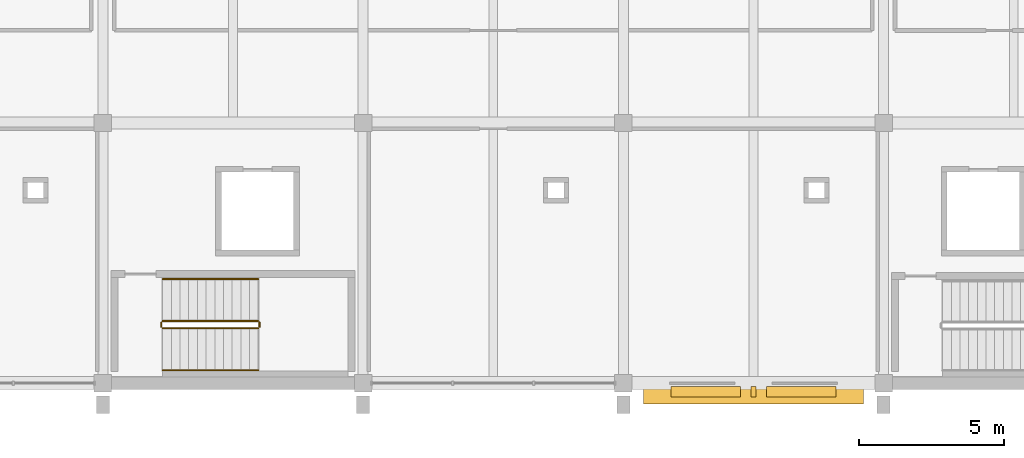
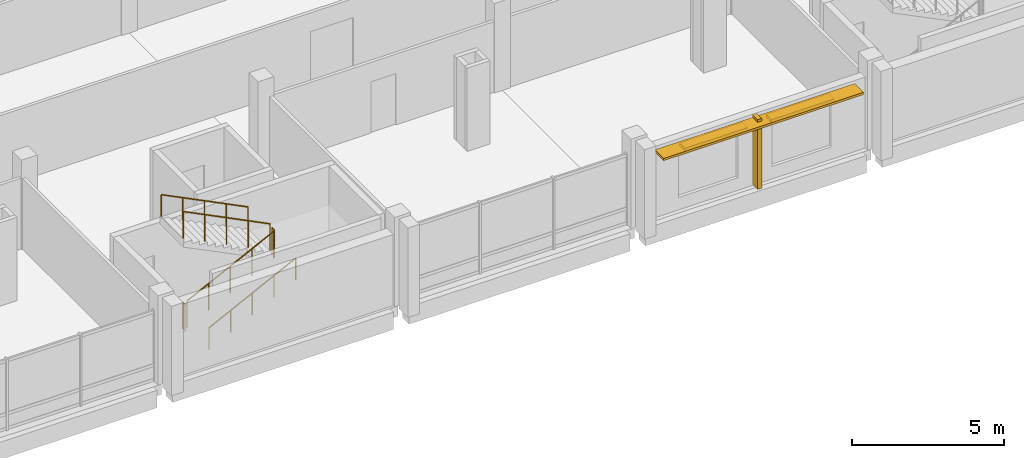
# One storey, part 158 of 163: 6 railings, 4 shading devices.
"""IFC4 building model written with IfcOpenShell, lengths in metres."""

import ifcopenshell
import ifcopenshell.guid

model = None  # the IFC model being written
_history = None  # IfcOwnerHistory: only IFC2X3 demands one
_inside = {}  # id of a spatial element -> (the spatial element, [elements in it])
_under = {}  # id of a project, library or spatial element -> (it, [spatial elements below it])
_declared = {}  # id of a project -> (the project, [libraries it declares])
_typed = {}  # id of a type object -> (the type object, [elements of that type])
_made_of = {}  # id of a material, layer set ... -> (it, [elements and type objects made of it])


def new_model(schema):
    """Start an empty IFC model of exactly this schema.

    Asked for "IFC4X3", IfcOpenShell would pick the latest addendum, in which some entities
    have other attributes; the version numbers below select the first issue.
    IFC2X3 requires an IfcOwnerHistory on every rooted entity: one is made here for all.
    """
    global model, _history
    if schema == "IFC4X3":
        model = ifcopenshell.file(schema_version=(4, 3, 0, 0))
    else:
        model = ifcopenshell.file(schema=schema)
    _inside.clear()
    _under.clear()
    _declared.clear()
    _typed.clear()
    _made_of.clear()
    _history = None
    if model.schema == "IFC2X3":
        org = make("IfcOrganization", Name="unknown")
        user = make(
            "IfcPersonAndOrganization",
            ThePerson=make("IfcPerson", FamilyName="unknown"),
            TheOrganization=org,
        )
        app = make(
            "IfcApplication",
            ApplicationDeveloper=org,
            Version="unknown",
            ApplicationFullName="unknown",
            ApplicationIdentifier="unknown",
        )
        _history = make(
            "IfcOwnerHistory",
            OwningUser=user,
            OwningApplication=app,
            ChangeAction="ADDED",
            CreationDate=0,
        )
    return model


def make(cls, **values):
    """One entity of the class cls with the attributes given. An attribute that is None is left unset."""
    return model.create_entity(
        cls, **{name: value for name, value in values.items() if value is not None}
    )


def rooted(cls, **values):
    """An entity with a GlobalId (a new one), such as an element, a storey or a relation."""
    return make(cls, GlobalId=ifcopenshell.guid.new(), OwnerHistory=_history, **values)


def si_unit(unit_type, name, prefix=None):
    """IfcSIUnit, for example si_unit("LENGTHUNIT", "METRE", prefix="MILLI")."""
    return make("IfcSIUnit", UnitType=unit_type, Prefix=prefix, Name=name)


def assignment(units):
    """IfcUnitAssignment: the units of a project."""
    return None if units is None else make("IfcUnitAssignment", Units=units)


def point(xyz):
    """IfcCartesianPoint."""
    return None if xyz is None else make("IfcCartesianPoint", Coordinates=xyz)


def direction(xyz):
    """IfcDirection."""
    return None if xyz is None else make("IfcDirection", DirectionRatios=xyz)


def frame(location, z_axis=None, x_axis=None):
    """IfcAxis2Placement3D, a coordinate frame: its origin and axes. An axis left out is left unset."""
    return make(
        "IfcAxis2Placement3D",
        Location=point(location),
        Axis=direction(z_axis),
        RefDirection=direction(x_axis),
    )


def frame_2d(location, x_axis=None):
    """IfcAxis2Placement2D, a coordinate frame in the plane: its origin and x axis."""
    return make(
        "IfcAxis2Placement2D", Location=point(location), RefDirection=direction(x_axis)
    )


def origin():
    """The frame at (0, 0, 0) with its axes left unset."""
    return frame((0.0, 0.0, 0.0))


def origin_2d():
    """The frame at (0, 0) in the plane with its x axis left unset."""
    return frame_2d((0.0, 0.0))


def place(relative_to, where):
    """IfcLocalPlacement: puts the frame where relative to a parent placement (None: the world)."""
    return make(
        "IfcLocalPlacement", PlacementRelTo=relative_to, RelativePlacement=where
    )


def context(
    kind, dimensions, precision=None, world=None, true_north=None, identifier=None
):
    """IfcGeometricRepresentationContext, for example the 3D "Model" context."""
    return make(
        "IfcGeometricRepresentationContext",
        ContextIdentifier=identifier,
        ContextType=kind,
        CoordinateSpaceDimension=dimensions,
        Precision=precision,
        WorldCoordinateSystem=world,
        TrueNorth=true_north,
    )


def subcontext(parent, identifier, kind, view, scale=None):
    """IfcGeometricRepresentationSubContext, for example "Body" below "Model"."""
    return make(
        "IfcGeometricRepresentationSubContext",
        ContextIdentifier=identifier,
        ContextType=kind,
        ParentContext=parent,
        TargetScale=scale,
        TargetView=view,
    )


def project(units=None, contexts=None):
    """IfcProject with its units and contexts."""
    return rooted(
        "IfcProject",
        Name="project",
        RepresentationContexts=contexts,
        UnitsInContext=assignment(units),
    )


def spatial(cls, under=None, at=None, **own):
    """A site, building, storey or space (cls), placed at a placement, below another one or the project."""
    s = rooted(cls, ObjectPlacement=at, **own)
    if under is not None:
        _under.setdefault(under.id(), (under, []))[1].append(s)
    return s


def profile(cls, at=None, kind="AREA", **sizes):
    """A parametric profile (cls). Its sizes go by their IFC names, for example OverallWidth=200.0."""
    return make(cls, ProfileType=kind, Position=at, **sizes)


def rectangle(**sizes):
    """IfcRectangleProfileDef."""
    return profile("IfcRectangleProfileDef", **sizes)


def circle(**sizes):
    """IfcCircleProfileDef."""
    return profile("IfcCircleProfileDef", **sizes)


def extrude(swept, where, along, depth):
    """IfcExtrudedAreaSolid: the profile swept, set in the frame where, extruded along a direction by depth."""
    return make(
        "IfcExtrudedAreaSolid",
        SweptArea=swept,
        Position=where,
        ExtrudedDirection=direction(along),
        Depth=depth,
    )


def shape(context_of_items, identifier, shape_type, items):
    """IfcShapeRepresentation: the items that make up one representation, for example the "Body"."""
    return make(
        "IfcShapeRepresentation",
        ContextOfItems=context_of_items,
        RepresentationIdentifier=identifier,
        RepresentationType=shape_type,
        Items=items,
    )


def material(Name=None, Category=None):
    """IfcMaterial."""
    return make("IfcMaterial", Name=Name, Category=Category)


def layer(
    of_material, thickness, ventilated=None, Name=None, Category=None, Priority=None
):
    """IfcMaterialLayer: one layer of a wall or slab, of a material (None: an air gap)."""
    return make(
        "IfcMaterialLayer",
        Material=of_material,
        LayerThickness=thickness,
        IsVentilated=ventilated,
        Name=Name,
        Category=Category,
        Priority=Priority,
    )


def layer_set(layers, Name=None):
    """IfcMaterialLayerSet."""
    return make("IfcMaterialLayerSet", MaterialLayers=layers, LayerSetName=Name)


def made_of(thing, what):
    """Note that an element or type object is made of a material, layer set ...; save() writes the relation."""
    if what is not None:
        _made_of.setdefault(what.id(), (what, []))[1].append(thing)
    return thing


def type_object(cls, material=None, **own):
    """A type object (cls), such as IfcWallType, which elements share."""
    return made_of(rooted(cls, **own), material)


def element(
    cls,
    number,
    at=None,
    inside=None,
    cuts=None,
    type_object=None,
    material=None,
    context=None,
    identifier="Body",
    shape_type=None,
    held_by="IfcProductDefinitionShape",
    body=None,
    shapes=None,
    **own,
):
    """One element of the class cls, such as IfcWall. Its Tag is "e" and its number.

    at: its placement. inside: the storey or other place that contains it. cuts: it is an
    opening in that element (IfcRelVoidsElement). A single representation is given by context,
    identifier, shape_type and body (its items); several are given by shapes. held_by: the class
    of the entity that holds the representations. save() writes the other relations.
    """
    e = rooted(cls, Tag="e%d" % number, ObjectPlacement=at, **own)
    if body is not None:
        shapes = [shape(context, identifier, shape_type, body)]
    if shapes is not None:
        e.Representation = make(held_by, Representations=shapes)
    if inside is not None:
        _inside.setdefault(inside.id(), (inside, []))[1].append(e)
    if cuts is not None:
        rooted(
            "IfcRelVoidsElement", RelatingBuildingElement=cuts, RelatedOpeningElement=e
        )
    if type_object is not None:
        _typed.setdefault(type_object.id(), (type_object, []))[1].append(e)
    return made_of(e, material)


def aggregate(whole, parts):
    """IfcRelAggregates: a whole, such as a stair, and the parts it consists of."""
    return rooted("IfcRelAggregates", RelatingObject=whole, RelatedObjects=parts)


def save(model, path):
    """Write the relations noted so far, then the file.

    IfcRelAggregates (storeys below a building ...), IfcRelContainedInSpatialStructure (elements
    in a storey), IfcRelDefinesByType, IfcRelAssociatesMaterial and IfcRelDeclares: one each for
    every whole, place, type object, material and project.
    """
    for whole, parts in _under.values():
        aggregate(whole, parts)
    for where, things in _inside.values():
        rooted(
            "IfcRelContainedInSpatialStructure",
            RelatedElements=things,
            RelatingStructure=where,
        )
    for kind, things in _typed.values():
        rooted("IfcRelDefinesByType", RelatedObjects=things, RelatingType=kind)
    for what, things in _made_of.values():
        rooted("IfcRelAssociatesMaterial", RelatedObjects=things, RelatingMaterial=what)
    for by, libraries in _declared.values():
        rooted("IfcRelDeclares", RelatingContext=by, RelatedDefinitions=libraries)
    model.write(path)


model = new_model("IFC4")

# Units and contexts
model_context = context("Model", 3, precision=1e-05, world=origin(), true_north=direction((0.0, 1.0)))
body_context = subcontext(model_context, "Body", "Model", "MODEL_VIEW")
ifc_project = project(units=[si_unit("LENGTHUNIT", "METRE"), si_unit("AREAUNIT", "SQUARE_METRE"), si_unit("VOLUMEUNIT", "CUBIC_METRE"), si_unit("PLANEANGLEUNIT", "RADIAN"), si_unit("MASSUNIT", "GRAM", prefix="KILO")], contexts=[model_context])

# Site, building, storey
site_placement = place(None, origin())
site = spatial("IfcSite", under=ifc_project, at=site_placement, CompositionType="ELEMENT")
building_placement = place(site_placement, origin())
building = spatial("IfcBuilding", under=site, at=building_placement, Name="Tharagai Park Tramway Depot", CompositionType="ELEMENT")
storey_placement = place(building_placement, frame((0.0, 0.0, 8.39990234375)))
storey = spatial("IfcBuildingStorey", under=building, at=storey_placement, Name="L02", CompositionType="ELEMENT", Elevation=8.39990234375)

# Railings
ifc_material_1 = material(Name="Galvanised steel", Category="steel")
railing_type_1 = type_object("IfcRailingType", Name="HR-02", PredefinedType="GUARDRAIL", material=ifc_material_1)
railing_1_placement = place(storey_placement, frame((38.070068359375, 1.89990234375, 0.150146484375)))
element("IfcRailing", 1, at=railing_1_placement, inside=storey, type_object=railing_type_1, Name="L02 ST-02 stair guard 1", PredefinedType="GUARDRAIL", context=body_context, shape_type="SweptSolid", body=[
    extrude(circle(Radius=0.02392578125, at=origin_2d()), frame((0.0, 0.0, 1.076171875), z_axis=(0.894440424912, 0.0, 0.447187126696), x_axis=(0.0, 1.0, 0.0)), (0.0, 0.0, 1.0), 3.689453125),
    extrude(circle(Radius=0.02099609375, at=origin_2d()), origin(), (0.0, 0.0, 1.0), 1.052001953125),
    extrude(circle(Radius=0.02099609375, at=origin_2d()), frame((0.824951171875, 0.0, 0.41259765625)), (0.0, 0.0, 1.0), 1.052001953125),
    extrude(circle(Radius=0.02099609375, at=origin_2d()), frame((1.64990234375, 0.0, 0.824951171875)), (0.0, 0.0, 1.0), 1.052001953125),
    extrude(circle(Radius=0.02099609375, at=origin_2d()), frame((2.47509765625, 0.0, 1.2373046875)), (0.0, 0.0, 1.0), 1.052001953125),
    extrude(circle(Radius=0.02099609375, at=origin_2d()), frame((3.300048828125, 0.0, 1.64990234375)), (0.0, 0.0, 1.0), 1.052001953125),
])
railing_2_placement = place(storey_placement, frame((41.419921875, 1.949951171875, 1.800048828125)))
element("IfcRailing", 2, at=railing_2_placement, inside=storey, type_object=railing_type_1, Name="L02 ST-02 stair guard 2", PredefinedType="GUARDRAIL", context=body_context, shape_type="SweptSolid", body=[
    extrude(circle(Radius=0.02392578125, at=origin_2d()), frame((0.0, 0.0, 1.076171875), z_axis=(0.0, 1.0, 0.0), x_axis=(-1.0, 0.0, 0.0)), (0.0, 0.0, 1.0), 0.150146484375),
    extrude(circle(Radius=0.02099609375, at=origin_2d()), origin(), (0.0, 0.0, 1.0), 1.052001953125),
    extrude(circle(Radius=0.02099609375, at=origin_2d()), frame((0.0, 0.150146484375, 0.0)), (0.0, 0.0, 1.0), 1.052001953125),
])
railing_3_placement = place(storey_placement, frame((41.3701171875, 2.14990234375, 1.9501953125)))
element("IfcRailing", 3, at=railing_3_placement, inside=storey, type_object=railing_type_1, Name="L02 ST-02 stair guard 3", PredefinedType="GUARDRAIL", context=body_context, shape_type="SweptSolid", body=[
    extrude(circle(Radius=0.02392578125, at=origin_2d()), frame((0.0, 0.0, 1.076171875), z_axis=(-0.894440424912, 0.0, 0.447187126696), x_axis=(0.0, -1.0, 0.0)), (0.0, 0.0, 1.0), 3.689453125),
    extrude(circle(Radius=0.02099609375, at=origin_2d()), origin(), (0.0, 0.0, 1.0), 1.052001953125),
    extrude(circle(Radius=0.02099609375, at=origin_2d()), frame((-0.824951171875, 0.0, 0.41259765625)), (0.0, 0.0, 1.0), 1.052001953125),
    extrude(circle(Radius=0.02099609375, at=origin_2d()), frame((-1.64990234375, 0.0, 0.824951171875)), (0.0, 0.0, 1.0), 1.052001953125),
    extrude(circle(Radius=0.02099609375, at=origin_2d()), frame((-2.47509765625, 0.0, 1.2373046875)), (0.0, 0.0, 1.0), 1.052001953125),
    extrude(circle(Radius=0.02099609375, at=origin_2d()), frame((-3.300048828125, 0.0, 1.64990234375)), (0.0, 0.0, 1.0), 1.052001953125),
])
railing_4_placement = place(storey_placement, frame((38.02001953125, 1.949951171875, 0.0)))
element("IfcRailing", 4, at=railing_4_placement, inside=storey, type_object=railing_type_1, Name="L02 ST-02 stair guard 4", PredefinedType="GUARDRAIL", context=body_context, shape_type="SweptSolid", body=[
    extrude(circle(Radius=0.02392578125, at=origin_2d()), frame((0.0, 0.0, 1.076171875), z_axis=(0.0, 1.0, 0.0), x_axis=(-1.0, 0.0, 0.0)), (0.0, 0.0, 1.0), 0.150146484375),
    extrude(circle(Radius=0.02099609375, at=origin_2d()), origin(), (0.0, 0.0, 1.0), 1.052001953125),
    extrude(circle(Radius=0.02099609375, at=origin_2d()), frame((0.0, 0.150146484375, 0.0)), (0.0, 0.0, 1.0), 1.052001953125),
])
railing_type_2 = type_object("IfcRailingType", Name="HR-03", PredefinedType="HANDRAIL", material=ifc_material_1)
railing_5_placement = place(storey_placement, frame((38.070068359375, 0.449951171875, 0.150146484375)))
element("IfcRailing", 5, at=railing_5_placement, inside=storey, type_object=railing_type_2, Name="L02 ST-02 stair handrail 1", PredefinedType="HANDRAIL", context=body_context, shape_type="SweptSolid", body=[
    extrude(circle(Radius=0.02392578125, at=origin_2d()), frame((0.0, 0.0, 0.8759765625), z_axis=(0.894440424912, 0.0, 0.447187126696), x_axis=(0.0, 1.0, 0.0)), (0.0, 0.0, 1.0), 3.689453125),
    extrude(circle(Radius=0.02099609375, at=origin_2d()), origin(), (0.0, 0.0, 1.0), 0.851806640625),
    extrude(circle(Radius=0.02099609375, at=origin_2d()), frame((0.824951171875, 0.0, 0.41259765625)), (0.0, 0.0, 1.0), 0.851806640625),
    extrude(circle(Radius=0.02099609375, at=origin_2d()), frame((1.64990234375, 0.0, 0.824951171875)), (0.0, 0.0, 1.0), 0.851806640625),
    extrude(circle(Radius=0.02099609375, at=origin_2d()), frame((2.47509765625, 0.0, 1.2373046875)), (0.0, 0.0, 1.0), 0.851806640625),
    extrude(circle(Radius=0.02099609375, at=origin_2d()), frame((3.300048828125, 0.0, 1.64990234375)), (0.0, 0.0, 1.0), 0.851806640625),
])
railing_6_placement = place(storey_placement, frame((41.3701171875, 3.60009765625, 1.9501953125)))
element("IfcRailing", 6, at=railing_6_placement, inside=storey, type_object=railing_type_2, Name="L02 ST-02 stair handrail 2", PredefinedType="HANDRAIL", context=body_context, shape_type="SweptSolid", body=[
    extrude(circle(Radius=0.02392578125, at=origin_2d()), frame((0.0, 0.0, 0.8759765625), z_axis=(-0.894440424912, 0.0, 0.447187126696), x_axis=(0.0, -1.0, 0.0)), (0.0, 0.0, 1.0), 3.689453125),
    extrude(circle(Radius=0.02099609375, at=origin_2d()), origin(), (0.0, 0.0, 1.0), 0.851806640625),
    extrude(circle(Radius=0.02099609375, at=origin_2d()), frame((-0.824951171875, 0.0, 0.41259765625)), (0.0, 0.0, 1.0), 0.851806640625),
    extrude(circle(Radius=0.02099609375, at=origin_2d()), frame((-1.64990234375, 0.0, 0.824951171875)), (0.0, 0.0, 1.0), 0.851806640625),
    extrude(circle(Radius=0.02099609375, at=origin_2d()), frame((-2.47509765625, 0.0, 1.2373046875)), (0.0, 0.0, 1.0), 0.851806640625),
    extrude(circle(Radius=0.02099609375, at=origin_2d()), frame((-3.300048828125, 0.0, 1.64990234375)), (0.0, 0.0, 1.0), 0.851806640625),
])

# Shading devices
ifc_material_2 = material(Name="Anodised aluminium", Category="aluminium")
ifc_layer_1 = layer(ifc_material_2, 0.090087890625)
ifc_layer_set_1 = layer_set([ifc_layer_1], Name="Anodised aluminium")
shading_device_type_1 = type_object("IfcShadingDeviceType", Name="SD-01", PredefinedType="SHUTTER", material=ifc_layer_set_1)
shading_device_1_placement = place(storey_placement, frame((58.5, -0.429931640625, 2.63720703125), z_axis=(0.0, 0.0, 1.0), x_axis=(1.0, 0.0, 0.0)))
element("IfcShadingDevice", 7, at=shading_device_1_placement, inside=storey, type_object=shading_device_type_1, Name="Monsoon Storm Louvre Hood SD-01 #53", PredefinedType="SHUTTER", context=body_context, shape_type="SweptSolid", body=[
    extrude(rectangle(XDim=7.60400390625, YDim=0.580078125, at=origin_2d()), origin(), (0.0, 0.0, 1.0), 0.090087890625),
])
ifc_material_3 = material(Name="Charnockite stone", Category="masonry")
ifc_layer_2 = layer(ifc_material_3, 0.159912109375)
ifc_layer_set_2 = layer_set([ifc_layer_2], Name="Charnockite stone")
shading_device_type_2 = type_object("IfcShadingDeviceType", Name="SD-02", PredefinedType="JALOUSIE", material=ifc_layer_set_2)
shading_device_2_placement = place(storey_placement, frame((58.5, -0.2900390625, 0.0302734375), z_axis=(0.0, 0.0, 1.0), x_axis=(1.0, 0.0, 0.0)))
element("IfcShadingDevice", 8, at=shading_device_2_placement, inside=storey, type_object=shading_device_type_2, Name="Charnockite Gothic Lancet Mullion Fin SD-02 #21", PredefinedType="JALOUSIE", context=body_context, shape_type="SweptSolid", body=[
    extrude(rectangle(XDim=0.159912109375, YDim=0.360107421875, at=origin_2d()), origin(), (0.0, 0.0, 1.0), 2.802001953125),
])
ifc_layer_3 = layer(ifc_material_3, 0.139892578125)
ifc_layer_set_3 = layer_set([ifc_layer_3], Name="Charnockite stone")
shading_device_type_3 = type_object("IfcShadingDeviceType", Name="SD-03", PredefinedType="AWNING", material=ifc_layer_set_3)
for number, where, z_axis, x_axis, name in (
    (9, (56.85009765625, -0.2900390625, 2.51220703125), (0.0, 0.0, 1.0), (1.0, 0.0, 0.0), "Charnockite Gothic Window Hood Drip Moulding SD-03 #7-1"),
    (10, (60.14990234375, -0.2900390625, 2.51220703125), (0.0, 0.0, 1.0), (1.0, 0.0, 0.0), "Charnockite Gothic Window Hood Drip Moulding SD-03 #7-2"),
):
    element("IfcShadingDevice", number, at=place(storey_placement, frame(where, z_axis=z_axis, x_axis=x_axis)), inside=storey, type_object=shading_device_type_3, Name=name, PredefinedType="AWNING", context=body_context, shape_type="SweptSolid", body=[
        extrude(rectangle(XDim=2.39990234375, YDim=0.360107421875, at=origin_2d()), origin(), (0.0, 0.0, 1.0), 0.139892578125),
    ])

save(model, "model.ifc")
